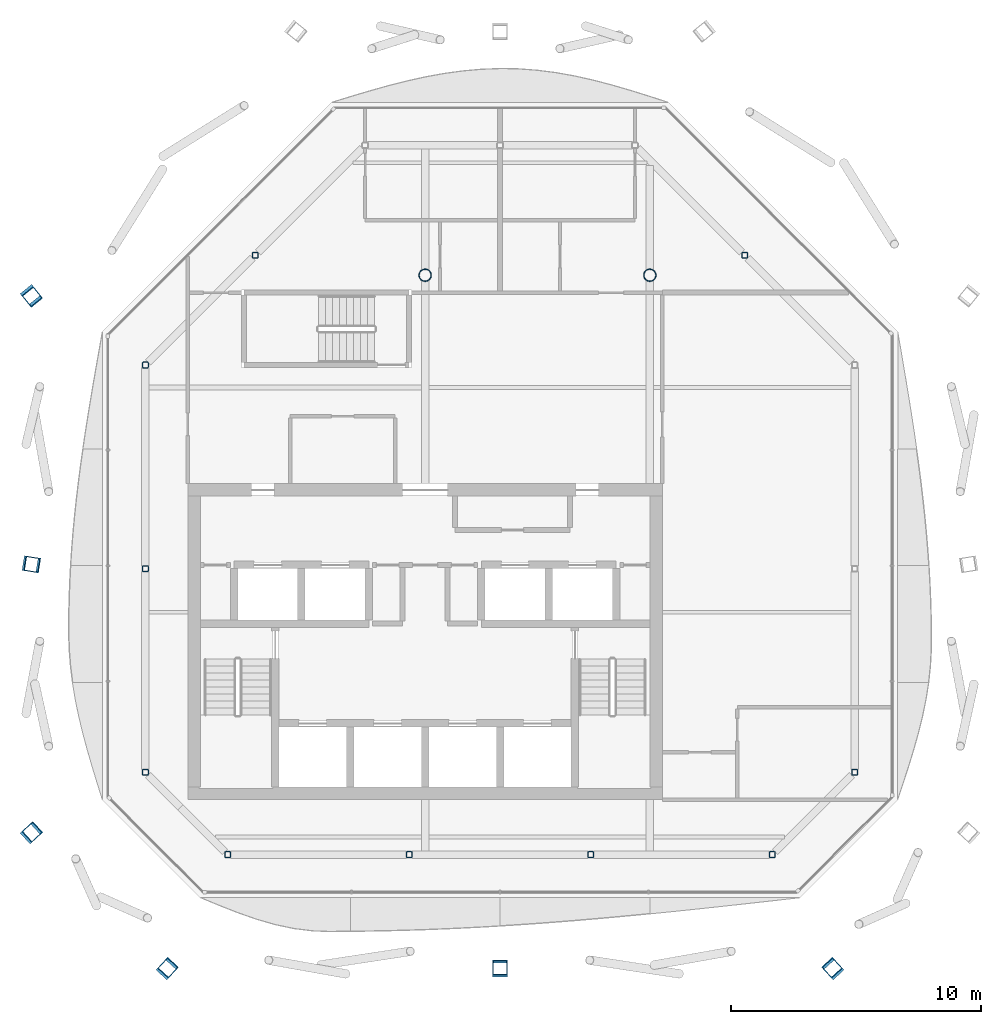
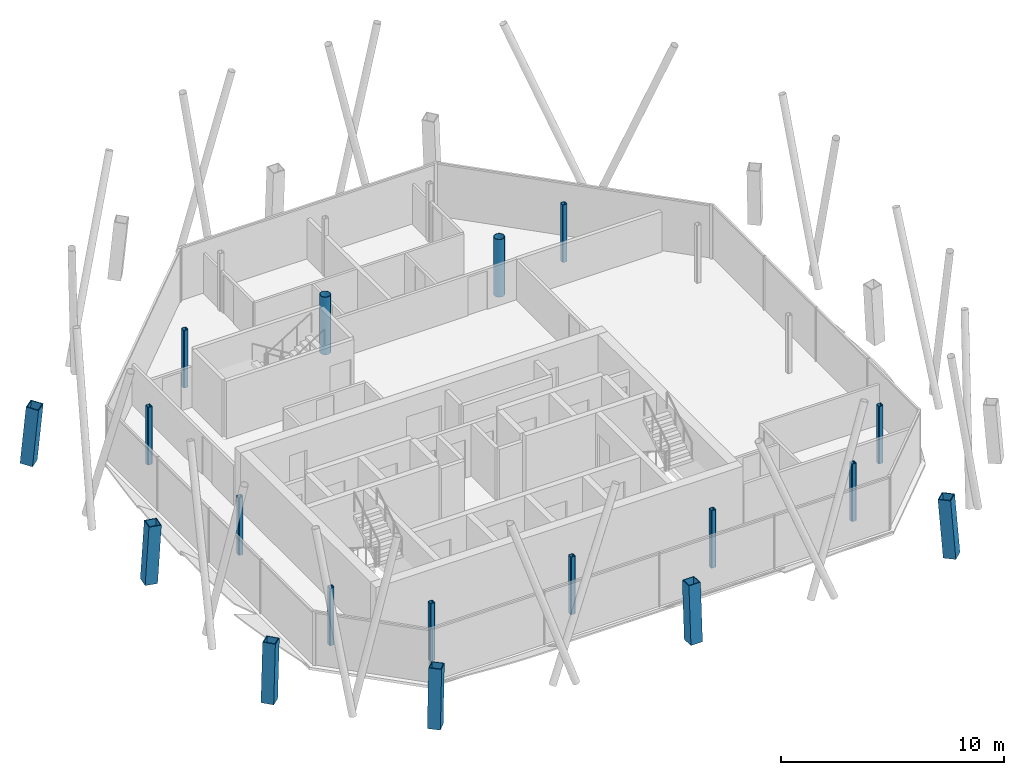
# One storey, part 1 of 13: 18 columns.
"""IFC4 building model written with IfcOpenShell, lengths in metres."""

import ifcopenshell
import ifcopenshell.guid

model = None  # the IFC model being written
_history = None  # IfcOwnerHistory: only IFC2X3 demands one
_inside = {}  # id of a spatial element -> (the spatial element, [elements in it])
_under = {}  # id of a project, library or spatial element -> (it, [spatial elements below it])
_declared = {}  # id of a project -> (the project, [libraries it declares])
_typed = {}  # id of a type object -> (the type object, [elements of that type])
_made_of = {}  # id of a material, layer set ... -> (it, [elements and type objects made of it])


def new_model(schema):
    """Start an empty IFC model of exactly this schema.

    Asked for "IFC4X3", IfcOpenShell would pick the latest addendum, in which some entities
    have other attributes; the version numbers below select the first issue.
    IFC2X3 requires an IfcOwnerHistory on every rooted entity: one is made here for all.
    """
    global model, _history
    if schema == "IFC4X3":
        model = ifcopenshell.file(schema_version=(4, 3, 0, 0))
    else:
        model = ifcopenshell.file(schema=schema)
    _inside.clear()
    _under.clear()
    _declared.clear()
    _typed.clear()
    _made_of.clear()
    _history = None
    if model.schema == "IFC2X3":
        org = make("IfcOrganization", Name="unknown")
        user = make(
            "IfcPersonAndOrganization",
            ThePerson=make("IfcPerson", FamilyName="unknown"),
            TheOrganization=org,
        )
        app = make(
            "IfcApplication",
            ApplicationDeveloper=org,
            Version="unknown",
            ApplicationFullName="unknown",
            ApplicationIdentifier="unknown",
        )
        _history = make(
            "IfcOwnerHistory",
            OwningUser=user,
            OwningApplication=app,
            ChangeAction="ADDED",
            CreationDate=0,
        )
    return model


def make(cls, **values):
    """One entity of the class cls with the attributes given. An attribute that is None is left unset."""
    return model.create_entity(
        cls, **{name: value for name, value in values.items() if value is not None}
    )


def rooted(cls, **values):
    """An entity with a GlobalId (a new one), such as an element, a storey or a relation."""
    return make(cls, GlobalId=ifcopenshell.guid.new(), OwnerHistory=_history, **values)


def si_unit(unit_type, name, prefix=None):
    """IfcSIUnit, for example si_unit("LENGTHUNIT", "METRE", prefix="MILLI")."""
    return make("IfcSIUnit", UnitType=unit_type, Prefix=prefix, Name=name)


def assignment(units):
    """IfcUnitAssignment: the units of a project."""
    return None if units is None else make("IfcUnitAssignment", Units=units)


def point(xyz):
    """IfcCartesianPoint."""
    return None if xyz is None else make("IfcCartesianPoint", Coordinates=xyz)


def direction(xyz):
    """IfcDirection."""
    return None if xyz is None else make("IfcDirection", DirectionRatios=xyz)


def frame(location, z_axis=None, x_axis=None):
    """IfcAxis2Placement3D, a coordinate frame: its origin and axes. An axis left out is left unset."""
    return make(
        "IfcAxis2Placement3D",
        Location=point(location),
        Axis=direction(z_axis),
        RefDirection=direction(x_axis),
    )


def frame_2d(location, x_axis=None):
    """IfcAxis2Placement2D, a coordinate frame in the plane: its origin and x axis."""
    return make(
        "IfcAxis2Placement2D", Location=point(location), RefDirection=direction(x_axis)
    )


def origin():
    """The frame at (0, 0, 0) with its axes left unset."""
    return frame((0.0, 0.0, 0.0))


def origin_2d():
    """The frame at (0, 0) in the plane with its x axis left unset."""
    return frame_2d((0.0, 0.0))


def place(relative_to, where):
    """IfcLocalPlacement: puts the frame where relative to a parent placement (None: the world)."""
    return make(
        "IfcLocalPlacement", PlacementRelTo=relative_to, RelativePlacement=where
    )


def context(
    kind, dimensions, precision=None, world=None, true_north=None, identifier=None
):
    """IfcGeometricRepresentationContext, for example the 3D "Model" context."""
    return make(
        "IfcGeometricRepresentationContext",
        ContextIdentifier=identifier,
        ContextType=kind,
        CoordinateSpaceDimension=dimensions,
        Precision=precision,
        WorldCoordinateSystem=world,
        TrueNorth=true_north,
    )


def subcontext(parent, identifier, kind, view, scale=None):
    """IfcGeometricRepresentationSubContext, for example "Body" below "Model"."""
    return make(
        "IfcGeometricRepresentationSubContext",
        ContextIdentifier=identifier,
        ContextType=kind,
        ParentContext=parent,
        TargetScale=scale,
        TargetView=view,
    )


def project(units=None, contexts=None):
    """IfcProject with its units and contexts."""
    return rooted(
        "IfcProject",
        Name="project",
        RepresentationContexts=contexts,
        UnitsInContext=assignment(units),
    )


def spatial(cls, under=None, at=None, **own):
    """A site, building, storey or space (cls), placed at a placement, below another one or the project."""
    s = rooted(cls, ObjectPlacement=at, **own)
    if under is not None:
        _under.setdefault(under.id(), (under, []))[1].append(s)
    return s


def profile(cls, at=None, kind="AREA", **sizes):
    """A parametric profile (cls). Its sizes go by their IFC names, for example OverallWidth=200.0."""
    return make(cls, ProfileType=kind, Position=at, **sizes)


def hollow_rectangle(**sizes):
    """IfcRectangleHollowProfileDef."""
    return profile("IfcRectangleHollowProfileDef", **sizes)


def hollow_circle(**sizes):
    """IfcCircleHollowProfileDef."""
    return profile("IfcCircleHollowProfileDef", **sizes)


def extrude(swept, where, along, depth):
    """IfcExtrudedAreaSolid: the profile swept, set in the frame where, extruded along a direction by depth."""
    return make(
        "IfcExtrudedAreaSolid",
        SweptArea=swept,
        Position=where,
        ExtrudedDirection=direction(along),
        Depth=depth,
    )


def shape(context_of_items, identifier, shape_type, items):
    """IfcShapeRepresentation: the items that make up one representation, for example the "Body"."""
    return make(
        "IfcShapeRepresentation",
        ContextOfItems=context_of_items,
        RepresentationIdentifier=identifier,
        RepresentationType=shape_type,
        Items=items,
    )


def material(Name=None, Category=None):
    """IfcMaterial."""
    return make("IfcMaterial", Name=Name, Category=Category)


def material_profile(
    of_material, cross_section, Name=None, Category=None, Priority=None
):
    """IfcMaterialProfile: a cross section and its material."""
    return make(
        "IfcMaterialProfile",
        Name=Name,
        Material=of_material,
        Profile=cross_section,
        Priority=Priority,
        Category=Category,
    )


def profile_set(profiles, Name=None, composite=None):
    """IfcMaterialProfileSet."""
    return make(
        "IfcMaterialProfileSet",
        Name=Name,
        MaterialProfiles=profiles,
        CompositeProfile=composite,
    )


def made_of(thing, what):
    """Note that an element or type object is made of a material, layer set ...; save() writes the relation."""
    if what is not None:
        _made_of.setdefault(what.id(), (what, []))[1].append(thing)
    return thing


def type_object(cls, material=None, **own):
    """A type object (cls), such as IfcWallType, which elements share."""
    return made_of(rooted(cls, **own), material)


def element(
    cls,
    number,
    at=None,
    inside=None,
    cuts=None,
    type_object=None,
    material=None,
    context=None,
    identifier="Body",
    shape_type=None,
    held_by="IfcProductDefinitionShape",
    body=None,
    shapes=None,
    **own,
):
    """One element of the class cls, such as IfcWall. Its Tag is "e" and its number.

    at: its placement. inside: the storey or other place that contains it. cuts: it is an
    opening in that element (IfcRelVoidsElement). A single representation is given by context,
    identifier, shape_type and body (its items); several are given by shapes. held_by: the class
    of the entity that holds the representations. save() writes the other relations.
    """
    e = rooted(cls, Tag="e%d" % number, ObjectPlacement=at, **own)
    if body is not None:
        shapes = [shape(context, identifier, shape_type, body)]
    if shapes is not None:
        e.Representation = make(held_by, Representations=shapes)
    if inside is not None:
        _inside.setdefault(inside.id(), (inside, []))[1].append(e)
    if cuts is not None:
        rooted(
            "IfcRelVoidsElement", RelatingBuildingElement=cuts, RelatedOpeningElement=e
        )
    if type_object is not None:
        _typed.setdefault(type_object.id(), (type_object, []))[1].append(e)
    return made_of(e, material)


def aggregate(whole, parts):
    """IfcRelAggregates: a whole, such as a stair, and the parts it consists of."""
    return rooted("IfcRelAggregates", RelatingObject=whole, RelatedObjects=parts)


def save(model, path):
    """Write the relations noted so far, then the file.

    IfcRelAggregates (storeys below a building ...), IfcRelContainedInSpatialStructure (elements
    in a storey), IfcRelDefinesByType, IfcRelAssociatesMaterial and IfcRelDeclares: one each for
    every whole, place, type object, material and project.
    """
    for whole, parts in _under.values():
        aggregate(whole, parts)
    for where, things in _inside.values():
        rooted(
            "IfcRelContainedInSpatialStructure",
            RelatedElements=things,
            RelatingStructure=where,
        )
    for kind, things in _typed.values():
        rooted("IfcRelDefinesByType", RelatedObjects=things, RelatingType=kind)
    for what, things in _made_of.values():
        rooted("IfcRelAssociatesMaterial", RelatedObjects=things, RelatingMaterial=what)
    for by, libraries in _declared.values():
        rooted("IfcRelDeclares", RelatingContext=by, RelatedDefinitions=libraries)
    model.write(path)


model = new_model("IFC4")

# Units and contexts
model_context = context("Model", 3, precision=1e-05, world=origin(), true_north=direction((0.0, 1.0)))
body_context = subcontext(model_context, "Body", "Model", "MODEL_VIEW")
ifc_project = project(units=[si_unit("LENGTHUNIT", "METRE"), si_unit("AREAUNIT", "SQUARE_METRE"), si_unit("VOLUMEUNIT", "CUBIC_METRE"), si_unit("PLANEANGLEUNIT", "RADIAN"), si_unit("MASSUNIT", "GRAM", prefix="KILO")], contexts=[model_context])

# Site, building, storey
site_placement = place(None, origin())
site = spatial("IfcSite", under=ifc_project, at=site_placement, CompositionType="ELEMENT")
building_placement = place(site_placement, origin())
building = spatial("IfcBuilding", under=site, at=building_placement, Name="Tskaro Facet Tower", CompositionType="ELEMENT")
storey_placement = place(building_placement, frame((0.0, 0.0, 278.39990234375)))
storey = spatial("IfcBuildingStorey", under=building, at=storey_placement, Name="L74", CompositionType="ELEMENT", Elevation=278.39990234375)

# Columns
ifc_material_1 = material(Name="Steel S355J2", Category="steel")
ifc_material_profile_1 = material_profile(ifc_material_1, hollow_rectangle(XDim=0.60009765625, YDim=0.60009765625, WallThickness=0.0400390625, at=origin_2d()), Name="BOX 600x600x40")
ifc_profile_set_1 = profile_set([ifc_material_profile_1], Name="Steel S355J2")
column_type_1 = type_object("IfcColumnType", Name="BOX 600x600x40 mega column", PredefinedType="COLUMN", material=ifc_profile_set_1)
column_1_placement = place(storey_placement, frame((-10.35498046875, -18.798095703125, 0.0), z_axis=(0.052847648367, 0.057946982858, 0.996919893091), x_axis=(-0.738869281565, 0.673848784787, 0.0)))
element("IfcColumn", 1, at=column_1_placement, inside=storey, type_object=column_type_1, Name="BOX 600x600x40 MC01/6", PredefinedType="COLUMN", context=body_context, shape_type="SweptSolid", body=[
    extrude(hollow_rectangle(XDim=0.60009765625, YDim=0.60009765625, WallThickness=0.0400390625, at=origin_2d()), origin(), (0.0, 0.0, 1.0), 3.159912109375),
])
column_2_placement = place(storey_placement, frame((3.0, -18.798095703125, 0.0), z_axis=(0.0, 0.058028072061, 0.998314951733), x_axis=(-1.0, 0.0, 0.0)))
element("IfcColumn", 2, at=column_2_placement, inside=storey, type_object=column_type_1, Name="BOX 600x600x40 MC02/6", PredefinedType="COLUMN", context=body_context, shape_type="SweptSolid", body=[
    extrude(hollow_rectangle(XDim=0.60009765625, YDim=0.60009765625, WallThickness=0.0400390625, at=origin_2d()), origin(), (0.0, 0.0, 1.0), 3.155517578125),
])
column_3_placement = place(storey_placement, frame((16.35498046875, -18.798095703125, 0.0), z_axis=(-0.052847648367, 0.057946982858, 0.996919893091), x_axis=(-0.738869281565, -0.673848784787, 0.0)))
element("IfcColumn", 3, at=column_3_placement, inside=storey, type_object=column_type_1, Name="BOX 600x600x40 MC03/6", PredefinedType="COLUMN", context=body_context, shape_type="SweptSolid", body=[
    extrude(hollow_rectangle(XDim=0.60009765625, YDim=0.60009765625, WallThickness=0.0400390625, at=origin_2d()), origin(), (0.0, 0.0, 1.0), 3.159912109375),
])
column_4_placement = place(storey_placement, frame((-15.798095703125, 8.212890625, 0.0), z_axis=(0.057880031426, -0.071385372092, 0.995768060651), x_axis=(0.77675574872, 0.629801958421, 0.0)))
element("IfcColumn", 4, at=column_4_placement, inside=storey, type_object=column_type_1, Name="BOX 600x600x40 MC10/6", PredefinedType="COLUMN", context=body_context, shape_type="SweptSolid", body=[
    extrude(hollow_rectangle(XDim=0.60009765625, YDim=0.60009765625, WallThickness=0.0400390625, at=origin_2d()), origin(), (0.0, 0.0, 1.0), 3.16357421875),
])
column_5_placement = place(storey_placement, frame((-15.798095703125, -2.571044921875, 0.0), z_axis=(0.058025612666, -0.009206730543, 0.998272640308), x_axis=(0.156706377373, 0.987645235543, 0.0)))
element("IfcColumn", 5, at=column_5_placement, inside=storey, type_object=column_type_1, Name="BOX 600x600x40 MC11/6", PredefinedType="COLUMN", context=body_context, shape_type="SweptSolid", body=[
    extrude(hollow_rectangle(XDim=0.60009765625, YDim=0.60009765625, WallThickness=0.0400390625, at=origin_2d()), origin(), (0.0, 0.0, 1.0), 3.155517578125),
])
column_6_placement = place(storey_placement, frame((-15.798095703125, -13.35498046875, 0.0), z_axis=(0.057946982858, 0.052847648367, 0.996919893091), x_axis=(-0.673848784787, 0.738869281565, 0.0)))
element("IfcColumn", 6, at=column_6_placement, inside=storey, type_object=column_type_1, Name="BOX 600x600x40 MC12/6", PredefinedType="COLUMN", context=body_context, shape_type="SweptSolid", body=[
    extrude(hollow_rectangle(XDim=0.60009765625, YDim=0.60009765625, WallThickness=0.0400390625, at=origin_2d()), origin(), (0.0, 0.0, 1.0), 3.159912109375),
])
ifc_material_2 = material(Name="Steel S355J2H", Category="steel")
ifc_material_profile_2 = material_profile(ifc_material_2, hollow_circle(Radius=0.25390625, WallThickness=0.02490234375, at=origin_2d()), Name="CHS 508x25")
ifc_profile_set_2 = profile_set([ifc_material_profile_2], Name="Steel S355J2H")
column_type_2 = type_object("IfcColumnType", Name="CHS 508x25 interior column", PredefinedType="COLUMN", material=ifc_profile_set_2)
for number, where, z_axis, x_axis, name in (
    (7, (0.0, 9.0, 0.0), (0.0, 0.0, 1.0), (1.0, 0.0, 0.0), "CHS 508x25 C4E/6"),
    (8, (9.0, 9.0, 0.0), (0.0, 0.0, 1.0), (1.0, 0.0, 0.0), "CHS 508x25 C5E/6"),
):
    element("IfcColumn", number, at=place(storey_placement, frame(where, z_axis=z_axis, x_axis=x_axis)), inside=storey, type_object=column_type_2, Name=name, PredefinedType="COLUMN", context=body_context, shape_type="SweptSolid", body=[
        extrude(hollow_circle(Radius=0.25390625, WallThickness=0.02490234375, at=origin_2d()), origin(), (0.0, 0.0, 1.0), 3.150146484375),
    ])
ifc_material_profile_3 = material_profile(ifc_material_2, hollow_rectangle(XDim=0.25, YDim=0.25, WallThickness=0.02001953125, InnerFilletRadius=0.030029296875, OuterFilletRadius=0.050048828125, at=origin_2d()), Name="SHS 250x250x20")
ifc_profile_set_3 = profile_set([ifc_material_profile_3], Name="Steel S355J2H")
column_type_3 = type_object("IfcColumnType", Name="SHS 250x250x20 ring column", PredefinedType="COLUMN", material=ifc_profile_set_3)
for number, where, z_axis, x_axis, name in (
    (9, (-7.903076171875, -14.199951171875, 0.0), (0.0, 0.0, 1.0), (1.0, 0.0, 0.0), "SHS 250x250x20 RS-1/6"),
    (10, (-0.634033203125, -14.199951171875, 0.0), (0.0, 0.0, 1.0), (1.0, 0.0, 0.0), "SHS 250x250x20 RS-2/6"),
    (11, (6.634033203125, -14.199951171875, 0.0), (0.0, 0.0, 1.0), (1.0, 0.0, 0.0), "SHS 250x250x20 RS-3/6"),
    (12, (13.903076171875, -14.199951171875, 0.0), (0.0, 0.0, 1.0), (1.0, 0.0, 0.0), "SHS 250x250x20 RSE-1/6"),
    (13, (17.199951171875, -10.903076171875, 0.0), (0.0, 0.0, 1.0), (1.0, 0.0, 0.0), "SHS 250x250x20 RE-1/6"),
    (14, (12.802001953125, 9.802001953125, 0.0), (0.0, 0.0, 1.0), (1.0, 0.0, 0.0), "SHS 250x250x20 RNE-2/6"),
    (15, (-6.801025390625, 9.801025390625, 0.0), (0.0, 0.0, 1.0), (1.0, 0.0, 0.0), "SHS 250x250x20 RNW-2/6"),
    (16, (-11.199951171875, 5.403076171875, 0.0), (0.0, 0.0, 1.0), (1.0, 0.0, 0.0), "SHS 250x250x20 RW-1/6"),
    (17, (-11.199951171875, -2.75, 0.0), (0.0, 0.0, 1.0), (1.0, 0.0, 0.0), "SHS 250x250x20 RW-2/6"),
    (18, (-11.199951171875, -10.903076171875, 0.0), (0.0, 0.0, 1.0), (1.0, 0.0, 0.0), "SHS 250x250x20 RSW-1/6"),
):
    element("IfcColumn", number, at=place(storey_placement, frame(where, z_axis=z_axis, x_axis=x_axis)), inside=storey, type_object=column_type_3, Name=name, PredefinedType="COLUMN", context=body_context, shape_type="SweptSolid", body=[
        extrude(hollow_rectangle(XDim=0.25, YDim=0.25, WallThickness=0.02001953125, InnerFilletRadius=0.030029296875, OuterFilletRadius=0.050048828125, at=origin_2d()), origin(), (0.0, 0.0, 1.0), 3.150146484375),
    ])

save(model, "model.ifc")
